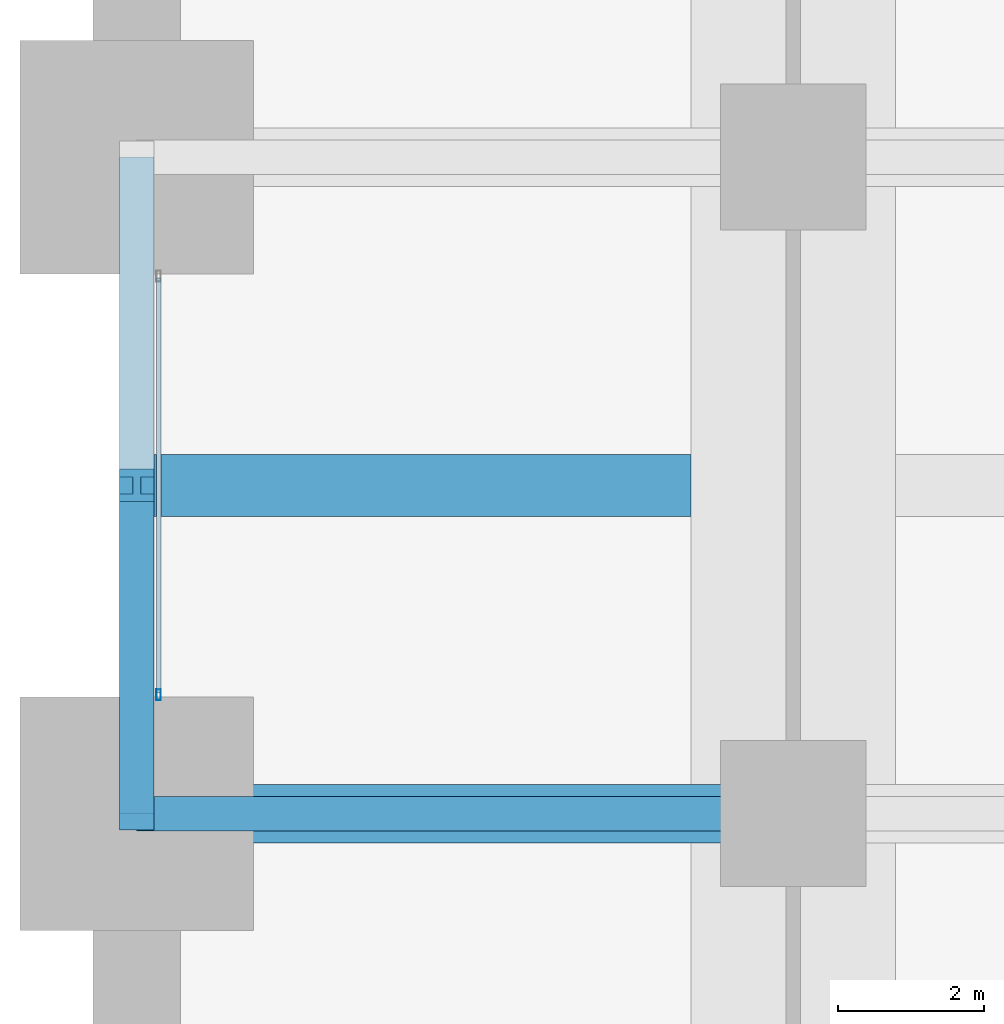
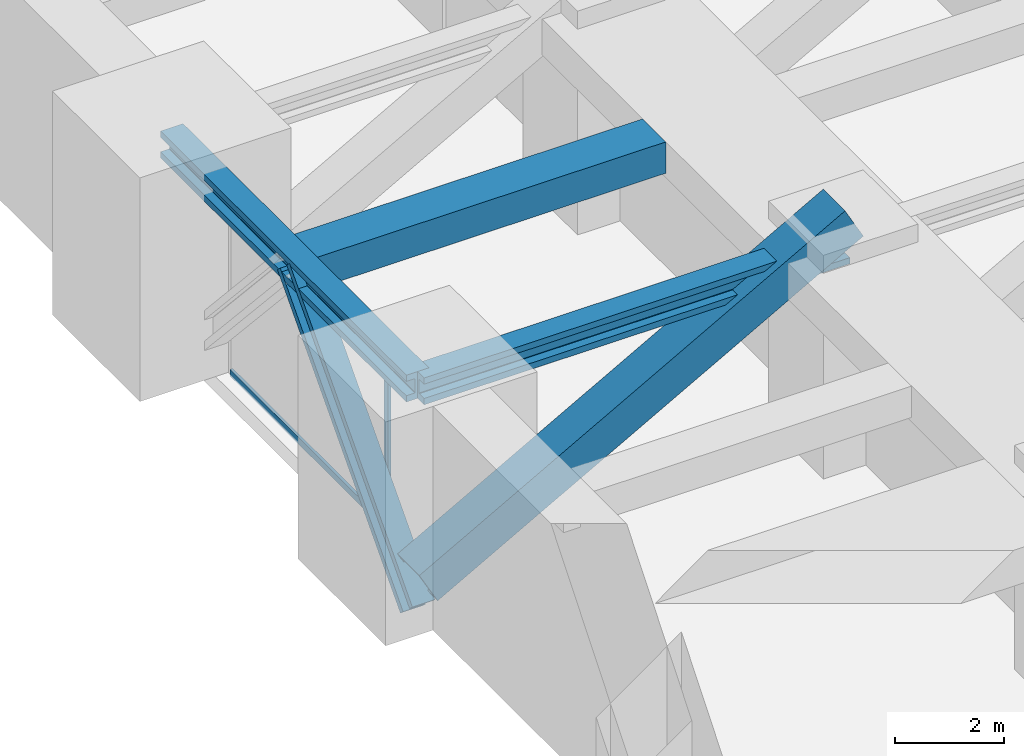
# One storey, part 9 of 38: 4 members, 3 beams, 1 element without a shape of its own.
"""IFC4 building model written with IfcOpenShell, lengths in metres."""

from ifc_helpers import new_model, si_unit, direction, frame, origin, origin_2d, place, context, subcontext, project, spatial, rectangle, hollow_rectangle, i_section, extrude, material, material_profile, profile_set, type_object, element, aggregate, save


model = new_model("IFC4")

# Units and contexts
model_context = context("Model", 3, precision=1e-05, world=origin(), true_north=direction((0.0, 1.0)))
body_context = subcontext(model_context, "Body", "Model", "MODEL_VIEW")
ifc_project = project(units=[si_unit("LENGTHUNIT", "METRE"), si_unit("AREAUNIT", "SQUARE_METRE"), si_unit("VOLUMEUNIT", "CUBIC_METRE"), si_unit("PLANEANGLEUNIT", "RADIAN"), si_unit("MASSUNIT", "GRAM", prefix="KILO")], contexts=[model_context])

# Site, building, storey
site_placement = place(None, origin())
site = spatial("IfcSite", under=ifc_project, at=site_placement, CompositionType="ELEMENT")
building_placement = place(site_placement, origin())
building = spatial("IfcBuilding", under=site, at=building_placement, Name="Zorevar Civic Tower", CompositionType="ELEMENT")
storey_placement = place(building_placement, frame((0.0, 0.0, 157.199951171875)))
storey = spatial("IfcBuildingStorey", under=building, at=storey_placement, Name="L38", CompositionType="ELEMENT", Elevation=157.199951171875)

# Beams
ifc_material_1 = material(Name="Concrete C50/60", Category="concrete")
ifc_material_profile_1 = material_profile(ifc_material_1, rectangle(XDim=0.85009765625, YDim=0.699951171875, at=origin_2d()), Name="RC 850x700")
ifc_profile_set_1 = profile_set([ifc_material_profile_1], Name="Concrete C50/60")
beam_type_1 = type_object("IfcBeamType", Name="Beam RC 850x700", PredefinedType="BEAM", material=ifc_profile_set_1)
beam_1_placement = place(storey_placement, frame((0.238037109375, 22.5, 4.25), z_axis=(1.0, 0.0, 0.0), x_axis=(0.0, 1.0, 0.0)))
element("IfcBeam", 1, at=beam_1_placement, inside=storey, type_object=beam_type_1, Name="Secondary beam L39", PredefinedType="BEAM", context=body_context, shape_type="SweptSolid", body=[
    extrude(rectangle(XDim=0.85009765625, YDim=0.699951171875, at=origin_2d()), origin(), (0.0, 0.0, 1.0), 7.362060546875),
])
ifc_material_2 = material(Name="Steel S460M (HISTAR 460)", Category="steel")
ifc_material_profile_2 = material_profile(ifc_material_2, i_section(OverallWidth=0.47607421875, OverallDepth=0.60009765625, WebThickness=0.10009765625, FlangeThickness=0.139892578125, FilletRadius=0.014892578125, at=origin_2d()), Name="HD 400x1299")
ifc_profile_set_2 = profile_set([ifc_material_profile_2], Name="Steel S460M (HISTAR 460)")
beam_type_2 = type_object("IfcBeamType", Name="Belt chord HD 400x1299", PredefinedType="BEAM", material=ifc_profile_set_2)
beam_2_placement = place(storey_placement, frame((0.0, 18.0, 4.300048828125), z_axis=(0.0, 1.0, 0.0), x_axis=(-1.0, 0.0, 0.0)))
element("IfcBeam", 2, at=beam_2_placement, inside=storey, type_object=beam_type_2, Name="Belt chord L39", PredefinedType="BEAM", context=body_context, shape_type="SweptSolid", body=[
    extrude(i_section(OverallWidth=0.47607421875, OverallDepth=0.60009765625, WebThickness=0.10009765625, FlangeThickness=0.139892578125, FilletRadius=0.014892578125, at=origin_2d()), origin(), (0.0, 0.0, 1.0), 9.0),
])

# Member
ifc_material_3 = material(Name="Steel S460M (HISTAR 460)", Category="steel")
ifc_material_profile_3 = material_profile(ifc_material_3, i_section(OverallWidth=0.47607421875, OverallDepth=0.60009765625, WebThickness=0.10009765625, FlangeThickness=0.139892578125, FilletRadius=0.014892578125, at=origin_2d()), Name="HD 400x1299")
ifc_profile_set_3 = profile_set([ifc_material_profile_3], Name="Steel S460M (HISTAR 460)")
member_type_1 = type_object("IfcMemberType", Name="Belt strut HD 400x1299", PredefinedType="BRACE", material=ifc_profile_set_3)
member_1_placement = place(storey_placement, frame((0.0, 18.0, -0.64990234375), z_axis=(0.0, 0.672676426978, 0.739936770669), x_axis=(-1.0, 0.0, 0.0)))
element("IfcMember", 3, at=member_1_placement, inside=storey, type_object=member_type_1, Name="Belt strut W L38", PredefinedType="BRACE", context=body_context, shape_type="SweptSolid", body=[
    extrude(i_section(OverallWidth=0.47607421875, OverallDepth=0.60009765625, WebThickness=0.10009765625, FlangeThickness=0.139892578125, FilletRadius=0.014892578125, at=origin_2d()), origin(), (0.0, 0.0, 1.0), 6.689697265625),
])

# Curtain wall, members
ifc_material_4 = material(Name="Black aluminium louvres", Category="aluminium")
curtain_wall_type = type_object("IfcCurtainWallType", Name="Louvred curtain wall CW6 refuge", PredefinedType="NOTDEFINED", material=ifc_material_4)
curtain_wall_placement = place(storey_placement, origin())
curtain_wall = element("IfcCurtainWall", 4, at=curtain_wall_placement, inside=storey, type_object=curtain_wall_type, Name="CW6 L38", PredefinedType="NOTDEFINED")
ifc_material_5 = material(Name="Aluminium, black anodised", Category="aluminium")
ifc_material_profile_4 = material_profile(ifc_material_5, hollow_rectangle(XDim=0.06005859375, YDim=0.14990234375, WallThickness=0.00390625, at=origin_2d()), Name="AL 150x60x4")
ifc_profile_set_4 = profile_set([ifc_material_profile_4], Name="Aluminium, black anodised")
member_type_2 = type_object("IfcMemberType", Name="CW6 mullion AL 150x60x4", PredefinedType="MULLION", material=ifc_profile_set_4)
member_2_placement = place(storey_placement, frame((0.300048828125, 19.6298828125, 0.0), z_axis=(0.0, 0.0, 1.0), x_axis=(-1.0, 0.0, 0.0)))
member_2 = element("IfcMember", 5, at=member_2_placement, type_object=member_type_2, Name="CW6 mullion 1", PredefinedType="MULLION", context=body_context, shape_type="SweptSolid", body=[
    extrude(hollow_rectangle(XDim=0.06005859375, YDim=0.14990234375, WallThickness=0.00390625, at=origin_2d()), origin(), (0.0, 0.0, 1.0), 3.800048828125),
])
ifc_material_6 = material(Name="Aluminium, black anodised", Category="aluminium")
ifc_material_profile_5 = material_profile(ifc_material_6, hollow_rectangle(XDim=0.06005859375, YDim=0.14990234375, WallThickness=0.00390625, at=origin_2d()), Name="AL 150x60x4")
ifc_profile_set_5 = profile_set([ifc_material_profile_5], Name="Aluminium, black anodised")
member_type_3 = type_object("IfcMemberType", Name="CW6 transom AL 150x60x4", PredefinedType="USERDEFINED", material=ifc_profile_set_5)
member_3_placement = place(storey_placement, frame((0.300048828125, 19.659912109375, 0.030029296875), z_axis=(0.0, 1.0, 0.0), x_axis=(-1.0, 0.0, 0.0)))
member_3 = element("IfcMember", 6, at=member_3_placement, type_object=member_type_3, Name="CW6 sill transom", ObjectType="TRANSOM", PredefinedType="USERDEFINED", context=body_context, shape_type="SweptSolid", body=[
    extrude(hollow_rectangle(XDim=0.06005859375, YDim=0.14990234375, WallThickness=0.00390625, at=origin_2d()), origin(), (0.0, 0.0, 1.0), 5.68017578125),
])
aggregate(curtain_wall, [member_2, member_3])

# Beam
ifc_material_7 = material(Name="Steel S460M (HISTAR 460)", Category="steel")
ifc_material_profile_6 = material_profile(ifc_material_7, i_section(OverallWidth=0.47607421875, OverallDepth=0.60009765625, WebThickness=0.10009765625, FlangeThickness=0.139892578125, FilletRadius=0.014892578125, at=origin_2d()), Name="HD 400x1299")
ifc_profile_set_6 = profile_set([ifc_material_profile_6], Name="Steel S460M (HISTAR 460)")
beam_type_3 = type_object("IfcBeamType", Name="Outrigger chord HD 400x1299", PredefinedType="BEAM", material=ifc_profile_set_6)
beam_3_placement = place(storey_placement, frame((0.0, 18.0, 4.300048828125), z_axis=(1.0, 0.0, 0.0), x_axis=(0.0, 1.0, 0.0)))
element("IfcBeam", 7, at=beam_3_placement, inside=storey, type_object=beam_type_3, Name="Outrigger chord L39", PredefinedType="BEAM", context=body_context, shape_type="SweptSolid", body=[
    extrude(i_section(OverallWidth=0.47607421875, OverallDepth=0.60009765625, WebThickness=0.10009765625, FlangeThickness=0.139892578125, FilletRadius=0.014892578125, at=origin_2d()), origin(), (0.0, 0.0, 1.0), 9.0),
])

# Member
ifc_material_8 = material(Name="Steel S460M (HISTAR 460)", Category="steel")
ifc_material_profile_7 = material_profile(ifc_material_8, hollow_rectangle(XDim=0.800048828125, YDim=0.800048828125, WallThickness=0.06005859375, at=origin_2d()), Name="BOX 800x800x60")
ifc_profile_set_7 = profile_set([ifc_material_profile_7], Name="Steel S460M (HISTAR 460)")
member_type_4 = type_object("IfcMemberType", Name="Outrigger diagonal BOX 800x800x60", PredefinedType="BRACE", material=ifc_profile_set_7)
member_4_placement = place(storey_placement, frame((9.0, 18.0, 5.0), z_axis=(-0.874157276122, 0.0, -0.485642931179), x_axis=(0.0, -1.0, 0.0)))
element("IfcMember", 8, at=member_4_placement, inside=storey, type_object=member_type_4, Name="Outrigger diagonal W L38", PredefinedType="BRACE", context=body_context, shape_type="SweptSolid", body=[
    extrude(hollow_rectangle(XDim=0.800048828125, YDim=0.800048828125, WallThickness=0.06005859375, at=origin_2d()), origin(), (0.0, 0.0, 1.0), 10.295654296875),
])

save(model, "model.ifc")
